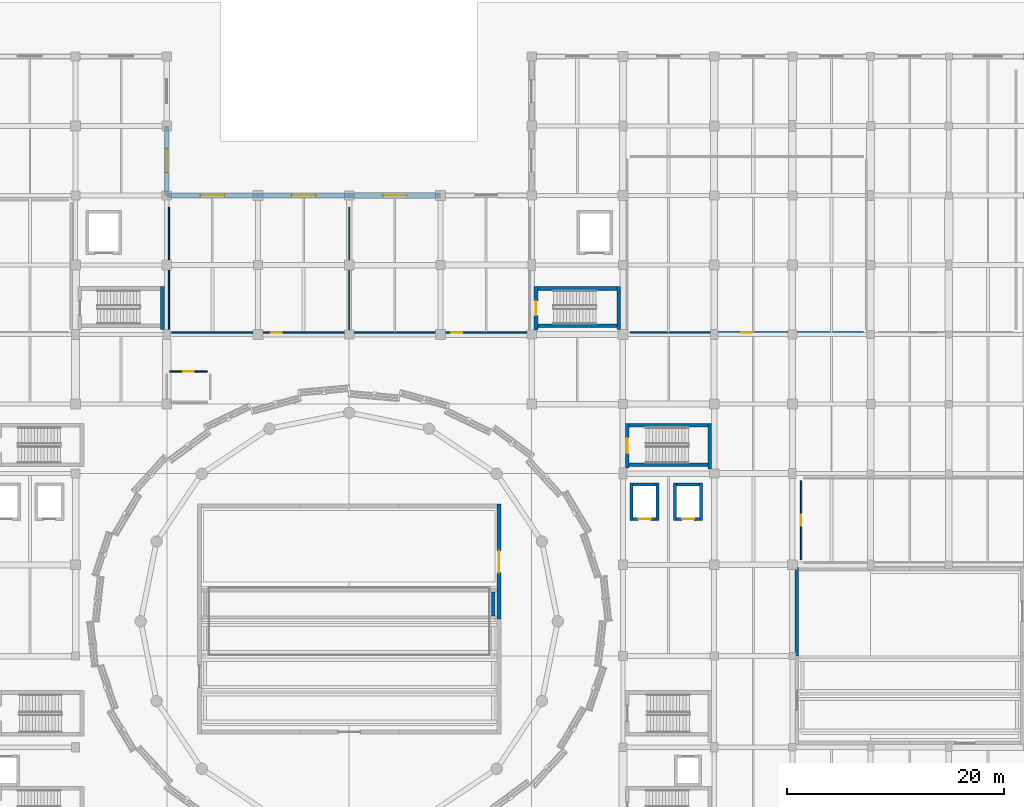
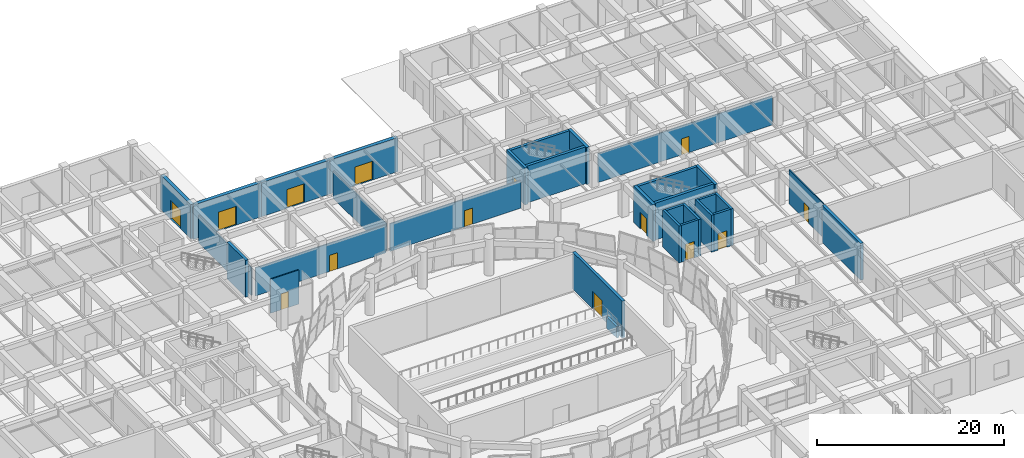
# One storey, part 50 of 72: 31 walls, 14 doors, 14 openings.
"""IFC4 building model written with IfcOpenShell, lengths in metres."""

import ifcopenshell
import ifcopenshell.guid

model = None  # the IFC model being written
_history = None  # IfcOwnerHistory: only IFC2X3 demands one
_inside = {}  # id of a spatial element -> (the spatial element, [elements in it])
_under = {}  # id of a project, library or spatial element -> (it, [spatial elements below it])
_declared = {}  # id of a project -> (the project, [libraries it declares])
_typed = {}  # id of a type object -> (the type object, [elements of that type])
_made_of = {}  # id of a material, layer set ... -> (it, [elements and type objects made of it])


def new_model(schema):
    """Start an empty IFC model of exactly this schema.

    Asked for "IFC4X3", IfcOpenShell would pick the latest addendum, in which some entities
    have other attributes; the version numbers below select the first issue.
    IFC2X3 requires an IfcOwnerHistory on every rooted entity: one is made here for all.
    """
    global model, _history
    if schema == "IFC4X3":
        model = ifcopenshell.file(schema_version=(4, 3, 0, 0))
    else:
        model = ifcopenshell.file(schema=schema)
    _inside.clear()
    _under.clear()
    _declared.clear()
    _typed.clear()
    _made_of.clear()
    _history = None
    if model.schema == "IFC2X3":
        org = make("IfcOrganization", Name="unknown")
        user = make(
            "IfcPersonAndOrganization",
            ThePerson=make("IfcPerson", FamilyName="unknown"),
            TheOrganization=org,
        )
        app = make(
            "IfcApplication",
            ApplicationDeveloper=org,
            Version="unknown",
            ApplicationFullName="unknown",
            ApplicationIdentifier="unknown",
        )
        _history = make(
            "IfcOwnerHistory",
            OwningUser=user,
            OwningApplication=app,
            ChangeAction="ADDED",
            CreationDate=0,
        )
    return model


def make(cls, **values):
    """One entity of the class cls with the attributes given. An attribute that is None is left unset."""
    return model.create_entity(
        cls, **{name: value for name, value in values.items() if value is not None}
    )


def rooted(cls, **values):
    """An entity with a GlobalId (a new one), such as an element, a storey or a relation."""
    return make(cls, GlobalId=ifcopenshell.guid.new(), OwnerHistory=_history, **values)


def si_unit(unit_type, name, prefix=None):
    """IfcSIUnit, for example si_unit("LENGTHUNIT", "METRE", prefix="MILLI")."""
    return make("IfcSIUnit", UnitType=unit_type, Prefix=prefix, Name=name)


def assignment(units):
    """IfcUnitAssignment: the units of a project."""
    return None if units is None else make("IfcUnitAssignment", Units=units)


def point(xyz):
    """IfcCartesianPoint."""
    return None if xyz is None else make("IfcCartesianPoint", Coordinates=xyz)


def direction(xyz):
    """IfcDirection."""
    return None if xyz is None else make("IfcDirection", DirectionRatios=xyz)


def frame(location, z_axis=None, x_axis=None):
    """IfcAxis2Placement3D, a coordinate frame: its origin and axes. An axis left out is left unset."""
    return make(
        "IfcAxis2Placement3D",
        Location=point(location),
        Axis=direction(z_axis),
        RefDirection=direction(x_axis),
    )


def frame_2d(location, x_axis=None):
    """IfcAxis2Placement2D, a coordinate frame in the plane: its origin and x axis."""
    return make(
        "IfcAxis2Placement2D", Location=point(location), RefDirection=direction(x_axis)
    )


def origin():
    """The frame at (0, 0, 0) with its axes left unset."""
    return frame((0.0, 0.0, 0.0))


def place(relative_to, where):
    """IfcLocalPlacement: puts the frame where relative to a parent placement (None: the world)."""
    return make(
        "IfcLocalPlacement", PlacementRelTo=relative_to, RelativePlacement=where
    )


def context(
    kind, dimensions, precision=None, world=None, true_north=None, identifier=None
):
    """IfcGeometricRepresentationContext, for example the 3D "Model" context."""
    return make(
        "IfcGeometricRepresentationContext",
        ContextIdentifier=identifier,
        ContextType=kind,
        CoordinateSpaceDimension=dimensions,
        Precision=precision,
        WorldCoordinateSystem=world,
        TrueNorth=true_north,
    )


def subcontext(parent, identifier, kind, view, scale=None):
    """IfcGeometricRepresentationSubContext, for example "Body" below "Model"."""
    return make(
        "IfcGeometricRepresentationSubContext",
        ContextIdentifier=identifier,
        ContextType=kind,
        ParentContext=parent,
        TargetScale=scale,
        TargetView=view,
    )


def project(units=None, contexts=None):
    """IfcProject with its units and contexts."""
    return rooted(
        "IfcProject",
        Name="project",
        RepresentationContexts=contexts,
        UnitsInContext=assignment(units),
    )


def spatial(cls, under=None, at=None, **own):
    """A site, building, storey or space (cls), placed at a placement, below another one or the project."""
    s = rooted(cls, ObjectPlacement=at, **own)
    if under is not None:
        _under.setdefault(under.id(), (under, []))[1].append(s)
    return s


def profile(cls, at=None, kind="AREA", **sizes):
    """A parametric profile (cls). Its sizes go by their IFC names, for example OverallWidth=200.0."""
    return make(cls, ProfileType=kind, Position=at, **sizes)


def rectangle(**sizes):
    """IfcRectangleProfileDef."""
    return profile("IfcRectangleProfileDef", **sizes)


def extrude(swept, where, along, depth):
    """IfcExtrudedAreaSolid: the profile swept, set in the frame where, extruded along a direction by depth."""
    return make(
        "IfcExtrudedAreaSolid",
        SweptArea=swept,
        Position=where,
        ExtrudedDirection=direction(along),
        Depth=depth,
    )


def shape(context_of_items, identifier, shape_type, items):
    """IfcShapeRepresentation: the items that make up one representation, for example the "Body"."""
    return make(
        "IfcShapeRepresentation",
        ContextOfItems=context_of_items,
        RepresentationIdentifier=identifier,
        RepresentationType=shape_type,
        Items=items,
    )


def material(Name=None, Category=None):
    """IfcMaterial."""
    return make("IfcMaterial", Name=Name, Category=Category)


def layer(
    of_material, thickness, ventilated=None, Name=None, Category=None, Priority=None
):
    """IfcMaterialLayer: one layer of a wall or slab, of a material (None: an air gap)."""
    return make(
        "IfcMaterialLayer",
        Material=of_material,
        LayerThickness=thickness,
        IsVentilated=ventilated,
        Name=Name,
        Category=Category,
        Priority=Priority,
    )


def layer_set(layers, Name=None):
    """IfcMaterialLayerSet."""
    return make("IfcMaterialLayerSet", MaterialLayers=layers, LayerSetName=Name)


def made_of(thing, what):
    """Note that an element or type object is made of a material, layer set ...; save() writes the relation."""
    if what is not None:
        _made_of.setdefault(what.id(), (what, []))[1].append(thing)
    return thing


def type_object(cls, material=None, **own):
    """A type object (cls), such as IfcWallType, which elements share."""
    return made_of(rooted(cls, **own), material)


def element(
    cls,
    number,
    at=None,
    inside=None,
    cuts=None,
    type_object=None,
    material=None,
    context=None,
    identifier="Body",
    shape_type=None,
    held_by="IfcProductDefinitionShape",
    body=None,
    shapes=None,
    **own,
):
    """One element of the class cls, such as IfcWall. Its Tag is "e" and its number.

    at: its placement. inside: the storey or other place that contains it. cuts: it is an
    opening in that element (IfcRelVoidsElement). A single representation is given by context,
    identifier, shape_type and body (its items); several are given by shapes. held_by: the class
    of the entity that holds the representations. save() writes the other relations.
    """
    e = rooted(cls, Tag="e%d" % number, ObjectPlacement=at, **own)
    if body is not None:
        shapes = [shape(context, identifier, shape_type, body)]
    if shapes is not None:
        e.Representation = make(held_by, Representations=shapes)
    if inside is not None:
        _inside.setdefault(inside.id(), (inside, []))[1].append(e)
    if cuts is not None:
        rooted(
            "IfcRelVoidsElement", RelatingBuildingElement=cuts, RelatedOpeningElement=e
        )
    if type_object is not None:
        _typed.setdefault(type_object.id(), (type_object, []))[1].append(e)
    return made_of(e, material)


def fill(opening, filler):
    """IfcRelFillsElement: the door or window that sits in an opening."""
    return rooted(
        "IfcRelFillsElement",
        RelatingOpeningElement=opening,
        RelatedBuildingElement=filler,
    )


def aggregate(whole, parts):
    """IfcRelAggregates: a whole, such as a stair, and the parts it consists of."""
    return rooted("IfcRelAggregates", RelatingObject=whole, RelatedObjects=parts)


def save(model, path):
    """Write the relations noted so far, then the file.

    IfcRelAggregates (storeys below a building ...), IfcRelContainedInSpatialStructure (elements
    in a storey), IfcRelDefinesByType, IfcRelAssociatesMaterial and IfcRelDeclares: one each for
    every whole, place, type object, material and project.
    """
    for whole, parts in _under.values():
        aggregate(whole, parts)
    for where, things in _inside.values():
        rooted(
            "IfcRelContainedInSpatialStructure",
            RelatedElements=things,
            RelatingStructure=where,
        )
    for kind, things in _typed.values():
        rooted("IfcRelDefinesByType", RelatedObjects=things, RelatingType=kind)
    for what, things in _made_of.values():
        rooted("IfcRelAssociatesMaterial", RelatedObjects=things, RelatingMaterial=what)
    for by, libraries in _declared.values():
        rooted("IfcRelDeclares", RelatingContext=by, RelatedDefinitions=libraries)
    model.write(path)


model = new_model("IFC4")

# Units and contexts
model_context = context("Model", 3, precision=1e-05, world=origin(), true_north=direction((0.0, 1.0)))
body_context = subcontext(model_context, "Body", "Model", "MODEL_VIEW")
ifc_project = project(units=[si_unit("LENGTHUNIT", "METRE"), si_unit("AREAUNIT", "SQUARE_METRE"), si_unit("VOLUMEUNIT", "CUBIC_METRE"), si_unit("PLANEANGLEUNIT", "RADIAN"), si_unit("MASSUNIT", "GRAM", prefix="KILO")], contexts=[model_context])

# Site, building, storey
site_placement = place(None, origin())
site = spatial("IfcSite", under=ifc_project, at=site_placement, CompositionType="ELEMENT")
building_placement = place(site_placement, origin())
building = spatial("IfcBuilding", under=site, at=building_placement, Name="Korsvaeld Concert Hall", CompositionType="ELEMENT")
storey_placement = place(building_placement, origin())
storey = spatial("IfcBuildingStorey", under=building, at=storey_placement, Name="L00", CompositionType="ELEMENT", Elevation=0.0)

# Walls
ifc_material_1 = material(Name="Concrete C40/50", Category="concrete")
ifc_layer_1 = layer(ifc_material_1, 0.340087890625)
ifc_layer_set_1 = layer_set([ifc_layer_1], Name="Concrete C40/50")
wall_type_1 = type_object("IfcWallType", Name="WL-CORE-340", PredefinedType="SHEAR", material=ifc_layer_set_1)
wall_1_placement = place(storey_placement, frame((109.77001953125, 77.60009765625, 0.0), z_axis=(0.0, 0.0, 1.0), x_axis=(1.0, 0.0, 0.0)))
element("IfcWall", 1, at=wall_1_placement, inside=storey, type_object=wall_type_1, Name="Core K2 shear wall L00 S", PredefinedType="SHEAR", context=body_context, shape_type="SweptSolid", body=[
    extrude(rectangle(XDim=7.260009765625, YDim=0.340087890625, at=frame_2d((3.6298828125, 0.0))), origin(), (0.0, 0.0, 1.0), 4.800048828125),
])
wall_2_placement = place(storey_placement, frame((117.199951171875, 77.22509765625, 0.0), z_axis=(0.0, 0.0, 1.0), x_axis=(0.0, 1.0, 0.0)))
element("IfcWall", 2, at=wall_2_placement, inside=storey, type_object=wall_type_1, Name="Core K2 shear wall L00 E", PredefinedType="SHEAR", context=body_context, shape_type="SweptSolid", body=[
    extrude(rectangle(XDim=4.184814453125, YDim=0.340087890625, at=frame_2d((2.09228515625, 0.0))), origin(), (0.0, 0.0, 1.0), 4.800048828125),
])
wall_3_placement = place(storey_placement, frame((117.030029296875, 81.239990234375, 0.0), z_axis=(0.0, 0.0, 1.0), x_axis=(-1.0, 0.0, 0.0)))
element("IfcWall", 3, at=wall_3_placement, inside=storey, type_object=wall_type_1, Name="Core K2 shear wall L00 N", PredefinedType="SHEAR", context=body_context, shape_type="SweptSolid", body=[
    extrude(rectangle(XDim=7.260009765625, YDim=0.340087890625, at=frame_2d((3.6298828125, 0.0))), origin(), (0.0, 0.0, 1.0), 4.800048828125),
])

# Wall, opening, door
wall_4_placement = place(storey_placement, frame((109.60009765625, 81.409912109375, 0.0), z_axis=(0.0, 0.0, 1.0), x_axis=(0.0, -1.0, 0.0)))
wall_4 = element("IfcWall", 4, at=wall_4_placement, inside=storey, type_object=wall_type_1, Name="Core K2 shear wall L00 W", PredefinedType="SHEAR", context=body_context, shape_type="SweptSolid", body=[
    extrude(rectangle(XDim=4.10986328125, YDim=0.340087890625, at=frame_2d((2.054931640625, 0.0))), origin(), (0.0, 0.0, 1.0), 4.800048828125),
])
opening_1_placement = place(wall_4_placement, frame((1.35498046875, 0.0, 0.0)))
opening_1 = element("IfcOpeningElement", 5, at=opening_1_placement, cuts=wall_4, Name="Opening FD-02", PredefinedType="OPENING", context=body_context, shape_type="SweptSolid", body=[
    extrude(rectangle(XDim=1.39990234375, YDim=2.14990234375, at=frame_2d((0.699951171875, 1.074951171875))), frame((0.0, 0.18017578125, 0.0), z_axis=(0.0, -1.0, 0.0), x_axis=(1.0, 0.0, 0.0)), (0.0, 0.0, 1.0), 0.360107421875),
])
ifc_material_2 = material(Name="Acoustic steel and oak fire door", Category="steel")
door_type_1 = type_object("IfcDoorType", Name="DR-FD-STAIR-140x215", OperationType="NOTDEFINED", PredefinedType="DOOR", material=ifc_material_2)
door_1_placement = place(opening_1_placement, frame((1.39990234375, 0.0, 0.0), z_axis=(0.0, 0.0, 1.0), x_axis=(-1.0, 0.0, 0.0)))
door_1 = element("IfcDoor", 6, at=door_1_placement, inside=storey, type_object=door_type_1, Name="Escape stair ST-K2 fire door L00", OperationType="SINGLE_SWING_RIGHT", OverallHeight=2.14990234375, OverallWidth=1.39990234375, PredefinedType="DOOR", context=body_context, shape_type="SweptSolid", body=[
    extrude(rectangle(XDim=1.39990234375, YDim=2.14990234375, at=frame_2d((0.699951171875, 1.074951171875))), frame((0.0, 0.02490234375, 0.0), z_axis=(0.0, -1.0, 0.0), x_axis=(1.0, 0.0, 0.0)), (0.0, 0.0, 1.0), 0.050048828125),
])
fill(opening_1, door_1)

# Walls
wall_5_placement = place(storey_placement, frame((66.800048828125, 90.050048828125, 0.0), z_axis=(0.0, 0.0, 1.0), x_axis=(0.0, 1.0, 0.0)))
element("IfcWall", 7, at=wall_5_placement, inside=storey, type_object=wall_type_1, Name="Core K5 shear wall L00 E", PredefinedType="SHEAR", context=body_context, shape_type="SweptSolid", body=[
    extrude(rectangle(XDim=3.9599609375, YDim=0.340087890625, at=frame_2d((1.97998046875, 0.0))), origin(), (0.0, 0.0, 1.0), 4.800048828125),
])
wall_6_placement = place(storey_placement, frame((101.3701171875, 90.39990234375, 0.0), z_axis=(0.0, 0.0, 1.0), x_axis=(1.0, 0.0, 0.0)))
element("IfcWall", 8, at=wall_6_placement, inside=storey, type_object=wall_type_1, Name="Core K6 shear wall L00 S", PredefinedType="SHEAR", context=body_context, shape_type="SweptSolid", body=[
    extrude(rectangle(XDim=7.259765625, YDim=0.340087890625, at=frame_2d((3.6298828125, 0.0))), origin(), (0.0, 0.0, 1.0), 4.800048828125),
])
wall_7_placement = place(storey_placement, frame((108.800048828125, 90.050048828125, 0.0), z_axis=(0.0, 0.0, 1.0), x_axis=(0.0, 1.0, 0.0)))
element("IfcWall", 9, at=wall_7_placement, inside=storey, type_object=wall_type_1, Name="Core K6 shear wall L00 E", PredefinedType="SHEAR", context=body_context, shape_type="SweptSolid", body=[
    extrude(rectangle(XDim=3.9599609375, YDim=0.340087890625, at=frame_2d((1.97998046875, 0.0))), origin(), (0.0, 0.0, 1.0), 4.800048828125),
])
wall_8_placement = place(storey_placement, frame((108.6298828125, 93.840087890625, 0.0), z_axis=(0.0, 0.0, 1.0), x_axis=(-1.0, 0.0, 0.0)))
element("IfcWall", 10, at=wall_8_placement, inside=storey, type_object=wall_type_1, Name="Core K6 shear wall L00 N", PredefinedType="SHEAR", context=body_context, shape_type="SweptSolid", body=[
    extrude(rectangle(XDim=7.259765625, YDim=0.340087890625, at=frame_2d((3.6298828125, 0.0))), origin(), (0.0, 0.0, 1.0), 4.800048828125),
])

# Wall, opening, door
wall_9_placement = place(storey_placement, frame((101.199951171875, 94.010009765625, 0.0), z_axis=(0.0, 0.0, 1.0), x_axis=(0.0, -1.0, 0.0)))
wall_9 = element("IfcWall", 11, at=wall_9_placement, inside=storey, type_object=wall_type_1, Name="Core K6 shear wall L00 W", PredefinedType="SHEAR", context=body_context, shape_type="SweptSolid", body=[
    extrude(rectangle(XDim=3.985107421875, YDim=0.340087890625, at=frame_2d((1.99267578125, 0.0))), origin(), (0.0, 0.0, 1.0), 4.800048828125),
])
opening_2_placement = place(wall_9_placement, frame((1.342529296875, 0.0, 0.0)))
opening_2 = element("IfcOpeningElement", 12, at=opening_2_placement, cuts=wall_9, Name="Opening FD-01", PredefinedType="OPENING", context=body_context, shape_type="SweptSolid", body=[
    extrude(rectangle(XDim=1.300048828125, YDim=2.14990234375, at=frame_2d((0.64990234375, 1.074951171875))), frame((0.0, 0.18017578125, 0.0), z_axis=(0.0, -1.0, 0.0), x_axis=(1.0, 0.0, 0.0)), (0.0, 0.0, 1.0), 0.360107421875),
])
door_type_2 = type_object("IfcDoorType", Name="DR-FD-STAIR-130x215", OperationType="NOTDEFINED", PredefinedType="DOOR", material=ifc_material_2)
door_2_placement = place(opening_2_placement, frame((1.300048828125, 0.0, 0.0), z_axis=(0.0, 0.0, 1.0), x_axis=(-1.0, 0.0, 0.0)))
door_2 = element("IfcDoor", 13, at=door_2_placement, inside=storey, type_object=door_type_2, Name="Escape stair ST-K6 fire door L00", OperationType="SINGLE_SWING_RIGHT", OverallHeight=2.14990234375, OverallWidth=1.300048828125, PredefinedType="DOOR", context=body_context, shape_type="SweptSolid", body=[
    extrude(rectangle(XDim=1.300048828125, YDim=2.14990234375, at=frame_2d((0.64990234375, 1.074951171875))), frame((0.0, 0.02490234375, 0.0), z_axis=(0.0, -1.0, 0.0), x_axis=(1.0, 0.0, 0.0)), (0.0, 0.0, 1.0), 0.050048828125),
])
fill(opening_2, door_2)

ifc_material_3 = material(Name="Coastal dark grey granite plinth on Concrete C35/45", Category="masonry")
ifc_layer_2 = layer(ifc_material_3, 0.43994140625)
ifc_layer_set_2 = layer_set([ifc_layer_2], Name="Coastal dark grey granite plinth on Concrete C35/45")
wall_type_2 = type_object("IfcWallType", Name="WL-EXT-GRAN-440", PredefinedType="STANDARD", material=ifc_layer_set_2)
wall_10_placement = place(storey_placement, frame((67.199951171875, 108.800048828125, 0.0), z_axis=(0.0, 0.0, 1.0), x_axis=(0.0, -1.0, 0.0)))
wall_10 = element("IfcWall", 14, at=wall_10_placement, inside=storey, type_object=wall_type_2, Name="Exterior sandstone wall L00-072", PredefinedType="STANDARD", context=body_context, shape_type="SweptSolid", body=[
    extrude(rectangle(XDim=6.400146484375, YDim=0.43994140625, at=frame_2d((3.2001953125, 0.0))), origin(), (0.0, 0.0, 1.0), 4.43994140625),
])
opening_3_placement = place(wall_10_placement, frame((2.10009765625, 0.0, 0.0)))
opening_3 = element("IfcOpeningElement", 15, at=opening_3_placement, cuts=wall_10, Name="Opening ED-02", PredefinedType="OPENING", context=body_context, shape_type="SweptSolid", body=[
    extrude(rectangle(XDim=2.199951171875, YDim=2.449951171875, at=frame_2d((1.10009765625, 1.22509765625))), frame((0.0, 0.22998046875, 0.0), z_axis=(0.0, -1.0, 0.0), x_axis=(1.0, 0.0, 0.0)), (0.0, 0.0, 1.0), 0.4599609375),
])
ifc_material_4 = material(Name="Anodised bronze glazed exit door")
door_type_3 = type_object("IfcDoorType", Name="DR-EXT-220x245", OperationType="DOUBLE_DOOR_SINGLE_SWING", PredefinedType="DOOR", material=ifc_material_4)
door_3_placement = place(opening_3_placement, frame((2.199951171875, 0.0, 0.0), z_axis=(0.0, 0.0, 1.0), x_axis=(-1.0, 0.0, 0.0)))
door_3 = element("IfcDoor", 16, at=door_3_placement, inside=storey, type_object=door_type_3, Name="Ground plaza pedestrian exit door EX-17", OperationType="DOUBLE_DOOR_SINGLE_SWING", OverallHeight=2.449951171875, OverallWidth=2.199951171875, PredefinedType="DOOR", context=body_context, shape_type="SweptSolid", body=[
    extrude(rectangle(XDim=2.199951171875, YDim=2.449951171875, at=frame_2d((1.10009765625, 1.22509765625))), frame((0.0, 0.02490234375, 0.0), z_axis=(0.0, -1.0, 0.0), x_axis=(1.0, 0.0, 0.0)), (0.0, 0.0, 1.0), 0.050048828125),
])
fill(opening_3, door_3)

wall_11_placement = place(storey_placement, frame((67.199951171875, 102.39990234375, 0.0), z_axis=(0.0, 0.0, 1.0), x_axis=(1.0, 0.0, 0.0)))
wall_11 = element("IfcWall", 17, at=wall_11_placement, inside=storey, type_object=wall_type_2, Name="Exterior sandstone wall L00-073", PredefinedType="STANDARD", context=body_context, shape_type="SweptSolid", body=[
    extrude(rectangle(XDim=8.400146484375, YDim=0.43994140625, at=frame_2d((4.2001953125, 0.0))), origin(), (0.0, 0.0, 1.0), 4.43994140625),
])
opening_4_placement = place(wall_11_placement, frame((3.10009765625, 0.0, 0.0)))
opening_4 = element("IfcOpeningElement", 18, at=opening_4_placement, cuts=wall_11, Name="Opening ED-02", PredefinedType="OPENING", context=body_context, shape_type="SweptSolid", body=[
    extrude(rectangle(XDim=2.199951171875, YDim=2.449951171875, at=frame_2d((1.10009765625, 1.22509765625))), frame((0.0, 0.22998046875, 0.0), z_axis=(0.0, -1.0, 0.0), x_axis=(1.0, 0.0, 0.0)), (0.0, 0.0, 1.0), 0.4599609375),
])
door_4_placement = place(opening_4_placement, frame((2.199951171875, 0.0, 0.0), z_axis=(0.0, 0.0, 1.0), x_axis=(-1.0, 0.0, 0.0)))
door_4 = element("IfcDoor", 19, at=door_4_placement, inside=storey, type_object=door_type_3, Name="Ground plaza pedestrian exit door EX-18", OperationType="DOUBLE_DOOR_SINGLE_SWING", OverallHeight=2.449951171875, OverallWidth=2.199951171875, PredefinedType="DOOR", context=body_context, shape_type="SweptSolid", body=[
    extrude(rectangle(XDim=2.199951171875, YDim=2.449951171875, at=frame_2d((1.10009765625, 1.22509765625))), frame((0.0, 0.02490234375, 0.0), z_axis=(0.0, -1.0, 0.0), x_axis=(1.0, 0.0, 0.0)), (0.0, 0.0, 1.0), 0.050048828125),
])
fill(opening_4, door_4)

wall_12_placement = place(storey_placement, frame((75.60009765625, 102.39990234375, 0.0), z_axis=(0.0, 0.0, 1.0), x_axis=(1.0, 0.0, 0.0)))
wall_12 = element("IfcWall", 20, at=wall_12_placement, inside=storey, type_object=wall_type_2, Name="Exterior sandstone wall L00-074", PredefinedType="STANDARD", context=body_context, shape_type="SweptSolid", body=[
    extrude(rectangle(XDim=8.39990234375, YDim=0.43994140625, at=frame_2d((4.199951171875, 0.0))), origin(), (0.0, 0.0, 1.0), 4.43994140625),
])
opening_5_placement = place(wall_12_placement, frame((3.10009765625, 0.0, 0.0)))
opening_5 = element("IfcOpeningElement", 21, at=opening_5_placement, cuts=wall_12, Name="Opening ED-02", PredefinedType="OPENING", context=body_context, shape_type="SweptSolid", body=[
    extrude(rectangle(XDim=2.199951171875, YDim=2.449951171875, at=frame_2d((1.10009765625, 1.22509765625))), frame((0.0, 0.22998046875, 0.0), z_axis=(0.0, -1.0, 0.0), x_axis=(1.0, 0.0, 0.0)), (0.0, 0.0, 1.0), 0.4599609375),
])
door_5_placement = place(opening_5_placement, frame((2.199951171875, 0.0, 0.0), z_axis=(0.0, 0.0, 1.0), x_axis=(-1.0, 0.0, 0.0)))
door_5 = element("IfcDoor", 22, at=door_5_placement, inside=storey, type_object=door_type_3, Name="Ground plaza pedestrian exit door EX-19", OperationType="DOUBLE_DOOR_SINGLE_SWING", OverallHeight=2.449951171875, OverallWidth=2.199951171875, PredefinedType="DOOR", context=body_context, shape_type="SweptSolid", body=[
    extrude(rectangle(XDim=2.199951171875, YDim=2.449951171875, at=frame_2d((1.10009765625, 1.22509765625))), frame((0.0, 0.02490234375, 0.0), z_axis=(0.0, -1.0, 0.0), x_axis=(1.0, 0.0, 0.0)), (0.0, 0.0, 1.0), 0.050048828125),
])
fill(opening_5, door_5)

wall_13_placement = place(storey_placement, frame((84.0, 102.39990234375, 0.0), z_axis=(0.0, 0.0, 1.0), x_axis=(1.0, 0.0, 0.0)))
wall_13 = element("IfcWall", 23, at=wall_13_placement, inside=storey, type_object=wall_type_2, Name="Exterior sandstone wall L00-075", PredefinedType="STANDARD", context=body_context, shape_type="SweptSolid", body=[
    extrude(rectangle(XDim=8.39990234375, YDim=0.43994140625, at=frame_2d((4.199951171875, 0.0))), origin(), (0.0, 0.0, 1.0), 4.43994140625),
])
opening_6_placement = place(wall_13_placement, frame((3.10009765625, 0.0, 0.0)))
opening_6 = element("IfcOpeningElement", 24, at=opening_6_placement, cuts=wall_13, Name="Opening ED-02", PredefinedType="OPENING", context=body_context, shape_type="SweptSolid", body=[
    extrude(rectangle(XDim=2.199951171875, YDim=2.449951171875, at=frame_2d((1.10009765625, 1.22509765625))), frame((0.0, 0.22998046875, 0.0), z_axis=(0.0, -1.0, 0.0), x_axis=(1.0, 0.0, 0.0)), (0.0, 0.0, 1.0), 0.4599609375),
])
door_6_placement = place(opening_6_placement, frame((2.199951171875, 0.0, 0.0), z_axis=(0.0, 0.0, 1.0), x_axis=(-1.0, 0.0, 0.0)))
door_6 = element("IfcDoor", 25, at=door_6_placement, inside=storey, type_object=door_type_3, Name="Ground plaza pedestrian exit door EX-20", OperationType="DOUBLE_DOOR_SINGLE_SWING", OverallHeight=2.449951171875, OverallWidth=2.199951171875, PredefinedType="DOOR", context=body_context, shape_type="SweptSolid", body=[
    extrude(rectangle(XDim=2.199951171875, YDim=2.449951171875, at=frame_2d((1.10009765625, 1.22509765625))), frame((0.0, 0.02490234375, 0.0), z_axis=(0.0, -1.0, 0.0), x_axis=(1.0, 0.0, 0.0)), (0.0, 0.0, 1.0), 0.050048828125),
])
fill(opening_6, door_6)

ifc_material_5 = material(Name="Bornholm Nexo crimson sandstone on Concrete C40/50", Category="masonry")
ifc_layer_3 = layer(ifc_material_5, 0.360107421875)
ifc_layer_set_3 = layer_set([ifc_layer_3], Name="Bornholm Nexo crimson sandstone on Concrete C40/50")
wall_type_3 = type_object("IfcWallType", Name="WL-HALL-360", PredefinedType="SHEAR", material=ifc_layer_set_3)
wall_14_placement = place(storey_placement, frame((97.800048828125, 63.39990234375, 0.0), z_axis=(0.0, 0.0, 1.0), x_axis=(0.0, 1.0, 0.0)))
wall_14 = element("IfcWall", 26, at=wall_14_placement, inside=storey, type_object=wall_type_3, Name="Acoustic hall box wall V1H L00 E.2", PredefinedType="SHEAR", context=body_context, shape_type="SweptSolid", body=[
    extrude(rectangle(XDim=10.580078125, YDim=0.360107421875, at=frame_2d((5.2900390625, 0.0))), origin(), (0.0, 0.0, 1.0), 4.800048828125),
])
opening_7_placement = place(wall_14_placement, frame((4.2900390625, 0.0, 0.0)))
opening_7 = element("IfcOpeningElement", 27, at=opening_7_placement, cuts=wall_14, Name="Opening FD-04", PredefinedType="OPENING", context=body_context, shape_type="SweptSolid", body=[
    extrude(rectangle(XDim=2.0, YDim=2.25, at=frame_2d((1.0, 1.125))), frame((0.0, 0.18994140625, 0.0), z_axis=(0.0, -1.0, 0.0), x_axis=(1.0, 0.0, 0.0)), (0.0, 0.0, 1.0), 0.380126953125),
])
ifc_material_6 = material(Name="Double acoustic oak sound-lock fire door")
door_type_4 = type_object("IfcDoorType", Name="DR-FD-HALL-200x225", OperationType="DOUBLE_DOOR_SINGLE_SWING", PredefinedType="DOOR", material=ifc_material_6)
door_7_placement = place(opening_7_placement, frame((2.0, 0.0, 0.0), z_axis=(0.0, 0.0, 1.0), x_axis=(-1.0, 0.0, 0.0)))
door_7 = element("IfcDoor", 28, at=door_7_placement, inside=storey, type_object=door_type_4, Name="Auditorium sound-lock fire door V1H L00 E.2", OperationType="DOUBLE_DOOR_SINGLE_SWING", OverallHeight=2.25, OverallWidth=2.0, PredefinedType="DOOR", context=body_context, shape_type="SweptSolid", body=[
    extrude(rectangle(XDim=2.0, YDim=2.25, at=frame_2d((1.0, 1.125))), frame((0.0, 0.02490234375, 0.0), z_axis=(0.0, -1.0, 0.0), x_axis=(1.0, 0.0, 0.0)), (0.0, 0.0, 1.0), 0.050048828125),
])
fill(opening_7, door_7)

# Wall
wall_15_placement = place(storey_placement, frame((125.199951171875, 68.179931640625, 0.0), z_axis=(0.0, 0.0, 1.0), x_axis=(0.0, -1.0, 0.0)))
element("IfcWall", 29, at=wall_15_placement, inside=storey, type_object=wall_type_3, Name="Acoustic hall box wall V2H L00 W.1", PredefinedType="SHEAR", context=body_context, shape_type="SweptSolid", body=[
    extrude(rectangle(XDim=8.179931640625, YDim=0.360107421875, at=frame_2d((4.08984375, 0.0))), origin(), (0.0, 0.0, 1.0), 4.800048828125),
])

# Wall, opening, door
ifc_material_7 = material(Name="Insulated acoustic gypsum partition")
ifc_layer_4 = layer(ifc_material_7, 0.125)
ifc_layer_set_4 = layer_set([ifc_layer_4], Name="Insulated acoustic gypsum partition")
wall_type_4 = type_object("IfcWallType", Name="WL-PART-125", PredefinedType="PARTITIONING", material=ifc_layer_set_4)
wall_16_placement = place(storey_placement, frame((125.60009765625, 76.139892578125, 0.0), z_axis=(0.0, 0.0, 1.0), x_axis=(0.0, -1.0, 0.0)))
wall_16 = element("IfcWall", 30, at=wall_16_placement, inside=storey, type_object=wall_type_4, Name="Interior partition L00-15 W", PredefinedType="PARTITIONING", context=body_context, shape_type="SweptSolid", body=[
    extrude(rectangle(XDim=7.27978515625, YDim=0.125, at=frame_2d((3.639892578125, 0.0))), origin(), (0.0, 0.0, 1.0), 4.43994140625),
])
opening_8_placement = place(wall_16_placement, frame((3.14990234375, 0.0, 0.0)))
opening_8 = element("IfcOpeningElement", 31, at=opening_8_placement, cuts=wall_16, Name="Opening ID-03", PredefinedType="OPENING", context=body_context, shape_type="SweptSolid", body=[
    extrude(rectangle(XDim=0.97998046875, YDim=2.10009765625, at=frame_2d((0.489990234375, 1.050048828125))), frame((0.0, 0.072509765625, 0.0), z_axis=(0.0, -1.0, 0.0), x_axis=(1.0, 0.0, 0.0)), (0.0, 0.0, 1.0), 0.14501953125),
])
ifc_material_8 = material(Name="European oak dressing room door")
door_type_5 = type_object("IfcDoorType", Name="DR-INT-DRS-098x210", OperationType="NOTDEFINED", PredefinedType="DOOR", material=ifc_material_8)
door_8_placement = place(opening_8_placement, origin())
door_8 = element("IfcDoor", 32, at=door_8_placement, inside=storey, type_object=door_type_5, Name="Chamber Artists Green Room door L00-15", OperationType="SINGLE_SWING_LEFT", OverallHeight=2.10009765625, OverallWidth=0.97998046875, PredefinedType="DOOR", context=body_context, shape_type="SweptSolid", body=[
    extrude(rectangle(XDim=0.97998046875, YDim=2.10009765625, at=frame_2d((0.489990234375, 1.050048828125))), frame((0.0, 0.02490234375, 0.0), z_axis=(0.0, -1.0, 0.0), x_axis=(1.0, 0.0, 0.0)), (0.0, 0.0, 1.0), 0.050048828125),
])
fill(opening_8, door_8)

wall_17_placement = place(storey_placement, frame((67.659912109375, 89.800048828125, 0.0), z_axis=(0.0, 0.0, 1.0), x_axis=(1.0, 0.0, 0.0)))
wall_17 = element("IfcWall", 33, at=wall_17_placement, inside=storey, type_object=wall_type_4, Name="Interior partition L00-23 S", PredefinedType="PARTITIONING", context=body_context, shape_type="SweptSolid", body=[
    extrude(rectangle(XDim=16.080078125, YDim=0.125, at=frame_2d((8.0400390625, 0.0))), origin(), (0.0, 0.0, 1.0), 3.6650390625),
])
opening_9_placement = place(wall_17_placement, frame((9.14990234375, 0.0, 0.0)))
opening_9 = element("IfcOpeningElement", 34, at=opening_9_placement, cuts=wall_17, Name="Opening ID-03", PredefinedType="OPENING", context=body_context, shape_type="SweptSolid", body=[
    extrude(rectangle(XDim=0.97998046875, YDim=2.10009765625, at=frame_2d((0.489990234375, 1.050048828125))), frame((0.0, 0.072509765625, 0.0), z_axis=(0.0, -1.0, 0.0), x_axis=(1.0, 0.0, 0.0)), (0.0, 0.0, 1.0), 0.14501953125),
])
door_9_placement = place(opening_9_placement, origin())
door_9 = element("IfcDoor", 35, at=door_9_placement, inside=storey, type_object=door_type_5, Name="Conductor Suite & Dressing Room door L00-23", OperationType="SINGLE_SWING_RIGHT", OverallHeight=2.10009765625, OverallWidth=0.97998046875, PredefinedType="DOOR", context=body_context, shape_type="SweptSolid", body=[
    extrude(rectangle(XDim=0.97998046875, YDim=2.10009765625, at=frame_2d((0.489990234375, 1.050048828125))), frame((0.0, 0.02490234375, 0.0), z_axis=(0.0, -1.0, 0.0), x_axis=(1.0, 0.0, 0.0)), (0.0, 0.0, 1.0), 0.050048828125),
])
fill(opening_9, door_9)

# Walls
wall_18_placement = place(storey_placement, frame((84.0, 90.06005859375, 0.0), z_axis=(0.0, 0.0, 1.0), x_axis=(0.0, 1.0, 0.0)))
element("IfcWall", 36, at=wall_18_placement, inside=storey, type_object=wall_type_4, Name="Interior partition L00-23 E", PredefinedType="PARTITIONING", context=body_context, shape_type="SweptSolid", body=[
    extrude(rectangle(XDim=11.280029296875, YDim=0.125, at=frame_2d((5.64013671875, 0.0))), origin(), (0.0, 0.0, 1.0), 3.56494140625),
])
wall_19_placement = place(storey_placement, frame((67.39990234375, 101.340087890625, 0.0), z_axis=(0.0, 0.0, 1.0), x_axis=(0.0, -1.0, 0.0)))
element("IfcWall", 37, at=wall_19_placement, inside=storey, type_object=wall_type_4, Name="Interior partition L00-23 W", PredefinedType="PARTITIONING", context=body_context, shape_type="SweptSolid", body=[
    extrude(rectangle(XDim=11.280029296875, YDim=0.125, at=frame_2d((5.64013671875, 0.0))), origin(), (0.0, 0.0, 1.0), 3.614990234375),
])

# Wall, opening, door
wall_20_placement = place(storey_placement, frame((84.260009765625, 89.800048828125, 0.0), z_axis=(0.0, 0.0, 1.0), x_axis=(1.0, 0.0, 0.0)))
wall_20 = element("IfcWall", 38, at=wall_20_placement, inside=storey, type_object=wall_type_4, Name="Interior partition L00-24 S", PredefinedType="PARTITIONING", context=body_context, shape_type="SweptSolid", body=[
    extrude(rectangle(XDim=16.080078125, YDim=0.125, at=frame_2d((8.0400390625, 0.0))), origin(), (0.0, 0.0, 1.0), 3.614990234375),
])
opening_10_placement = place(wall_20_placement, frame((9.14990234375, 0.0, 0.0)))
opening_10 = element("IfcOpeningElement", 39, at=opening_10_placement, cuts=wall_20, Name="Opening ID-03", PredefinedType="OPENING", context=body_context, shape_type="SweptSolid", body=[
    extrude(rectangle(XDim=0.97998046875, YDim=2.10009765625, at=frame_2d((0.489990234375, 1.050048828125))), frame((0.0, 0.072509765625, 0.0), z_axis=(0.0, -1.0, 0.0), x_axis=(1.0, 0.0, 0.0)), (0.0, 0.0, 1.0), 0.14501953125),
])
door_10_placement = place(opening_10_placement, origin())
door_10 = element("IfcDoor", 40, at=door_10_placement, inside=storey, type_object=door_type_5, Name="Principal Soloist Dressing Rooms door L00-24", OperationType="SINGLE_SWING_LEFT", OverallHeight=2.10009765625, OverallWidth=0.97998046875, PredefinedType="DOOR", context=body_context, shape_type="SweptSolid", body=[
    extrude(rectangle(XDim=0.97998046875, YDim=2.10009765625, at=frame_2d((0.489990234375, 1.050048828125))), frame((0.0, 0.02490234375, 0.0), z_axis=(0.0, -1.0, 0.0), x_axis=(1.0, 0.0, 0.0)), (0.0, 0.0, 1.0), 0.050048828125),
])
fill(opening_10, door_10)

wall_21_placement = place(storey_placement, frame((109.860107421875, 89.800048828125, 0.0), z_axis=(0.0, 0.0, 1.0), x_axis=(1.0, 0.0, 0.0)))
wall_21 = element("IfcWall", 41, at=wall_21_placement, inside=storey, type_object=wall_type_4, Name="Interior partition L00-25 S", PredefinedType="PARTITIONING", context=body_context, shape_type="SweptSolid", body=[
    extrude(rectangle(XDim=21.47998046875, YDim=0.125, at=frame_2d((10.739990234375, 0.0))), origin(), (0.0, 0.0, 1.0), 3.764892578125),
])
opening_11_placement = place(wall_21_placement, frame((10.25, 0.0, 0.0)))
opening_11 = element("IfcOpeningElement", 42, at=opening_11_placement, cuts=wall_21, Name="Opening ID-03", PredefinedType="OPENING", context=body_context, shape_type="SweptSolid", body=[
    extrude(rectangle(XDim=0.97998046875, YDim=2.10009765625, at=frame_2d((0.489990234375, 1.050048828125))), frame((0.0, 0.072509765625, 0.0), z_axis=(0.0, -1.0, 0.0), x_axis=(1.0, 0.0, 0.0)), (0.0, 0.0, 1.0), 0.14501953125),
])
door_11_placement = place(opening_11_placement, origin())
door_11 = element("IfcDoor", 43, at=door_11_placement, inside=storey, type_object=door_type_5, Name="Musicians Green Room & Canteen door L00-25", OperationType="SINGLE_SWING_RIGHT", OverallHeight=2.10009765625, OverallWidth=0.97998046875, PredefinedType="DOOR", context=body_context, shape_type="SweptSolid", body=[
    extrude(rectangle(XDim=0.97998046875, YDim=2.10009765625, at=frame_2d((0.489990234375, 1.050048828125))), frame((0.0, 0.02490234375, 0.0), z_axis=(0.0, -1.0, 0.0), x_axis=(1.0, 0.0, 0.0)), (0.0, 0.0, 1.0), 0.050048828125),
])
fill(opening_11, door_11)

wall_22_placement = place(storey_placement, frame((70.93994140625, 86.199951171875, 0.0), z_axis=(0.0, 0.0, 1.0), x_axis=(-1.0, 0.0, 0.0)))
wall_22 = element("IfcWall", 44, at=wall_22_placement, inside=storey, type_object=wall_type_4, Name="Interior partition L00-35 N", PredefinedType="PARTITIONING", context=body_context, shape_type="SweptSolid", body=[
    extrude(rectangle(XDim=3.47998046875, YDim=0.125, at=frame_2d((1.739990234375, 0.0))), origin(), (0.0, 0.0, 1.0), 4.43994140625),
])
opening_12_placement = place(wall_22_placement, frame((1.27001953125, 0.0, 0.0)))
opening_12 = element("IfcOpeningElement", 45, at=opening_12_placement, cuts=wall_22, Name="Opening ID-05", PredefinedType="OPENING", context=body_context, shape_type="SweptSolid", body=[
    extrude(rectangle(XDim=0.93994140625, YDim=2.10009765625, at=frame_2d((0.469970703125, 1.050048828125))), frame((0.0, 0.072509765625, 0.0), z_axis=(0.0, -1.0, 0.0), x_axis=(1.0, 0.0, 0.0)), (0.0, 0.0, 1.0), 0.14501953125),
])
ifc_material_9 = material(Name="Accessible washroom oak door")
door_type_6 = type_object("IfcDoorType", Name="DR-INT-WC-094x210", OperationType="NOTDEFINED", PredefinedType="DOOR", material=ifc_material_9)
door_12_placement = place(opening_12_placement, origin())
door_12 = element("IfcDoor", 46, at=door_12_placement, inside=storey, type_object=door_type_6, Name="Artists Accessible WC L00 North door L00-35", OperationType="SINGLE_SWING_LEFT", OverallHeight=2.10009765625, OverallWidth=0.93994140625, PredefinedType="DOOR", context=body_context, shape_type="SweptSolid", body=[
    extrude(rectangle(XDim=0.93994140625, YDim=2.10009765625, at=frame_2d((0.469970703125, 1.050048828125))), frame((0.0, 0.02490234375, 0.0), z_axis=(0.0, -1.0, 0.0), x_axis=(1.0, 0.0, 0.0)), (0.0, 0.0, 1.0), 0.050048828125),
])
fill(opening_12, door_12)

ifc_layer_5 = layer(ifc_material_1, 0.280029296875)
ifc_layer_set_5 = layer_set([ifc_layer_5], Name="Concrete C40/50")
wall_type_5 = type_object("IfcWallType", Name="WL-SHAFT-280", PredefinedType="SHEAR", material=ifc_layer_set_5)
wall_23_placement = place(storey_placement, frame((110.139892578125, 72.60009765625, 0.0), z_axis=(0.0, 0.0, 1.0), x_axis=(1.0, 0.0, 0.0)))
wall_23 = element("IfcWall", 47, at=wall_23_placement, inside=storey, type_object=wall_type_5, Name="Lift LP-03 shaft wall L00 S", PredefinedType="SHEAR", context=body_context, shape_type="SweptSolid", body=[
    extrude(rectangle(XDim=2.1201171875, YDim=0.280029296875, at=frame_2d((1.06005859375, 0.0))), origin(), (0.0, 0.0, 1.0), 4.800048828125),
])
opening_13_placement = place(wall_23_placement, frame((0.510009765625, 0.0, 0.0)))
opening_13 = element("IfcOpeningElement", 48, at=opening_13_placement, cuts=wall_23, Name="Opening LD-01", PredefinedType="OPENING", context=body_context, shape_type="SweptSolid", body=[
    extrude(rectangle(XDim=1.10009765625, YDim=2.14990234375, at=frame_2d((0.550048828125, 1.074951171875))), frame((0.0, 0.14990234375, 0.0), z_axis=(0.0, -1.0, 0.0), x_axis=(1.0, 0.0, 0.0)), (0.0, 0.0, 1.0), 0.300048828125),
])
ifc_material_10 = material(Name="Brushed bronze-stainless sliding lift landing door")
door_type_7 = type_object("IfcDoorType", Name="DR-LD-PASS-110x215", OperationType="NOTDEFINED", PredefinedType="DOOR", material=ifc_material_10)
door_13_placement = place(opening_13_placement, origin())
door_13 = element("IfcDoor", 49, at=door_13_placement, inside=storey, type_object=door_type_7, Name="Lift landing door LP-03 L00", OperationType="SLIDING_TO_LEFT", OverallHeight=2.14990234375, OverallWidth=1.10009765625, PredefinedType="DOOR", context=body_context, shape_type="SweptSolid", body=[
    extrude(rectangle(XDim=1.10009765625, YDim=2.14990234375, at=frame_2d((0.550048828125, 1.074951171875))), frame((0.0, 0.02490234375, 0.0), z_axis=(0.0, -1.0, 0.0), x_axis=(1.0, 0.0, 0.0)), (0.0, 0.0, 1.0), 0.050048828125),
])
fill(opening_13, door_13)

# Walls
wall_24_placement = place(storey_placement, frame((112.39990234375, 72.4599609375, 0.0), z_axis=(0.0, 0.0, 1.0), x_axis=(0.0, 1.0, 0.0)))
element("IfcWall", 50, at=wall_24_placement, inside=storey, type_object=wall_type_5, Name="Lift LP-03 shaft wall L00 E", PredefinedType="SHEAR", context=body_context, shape_type="SweptSolid", body=[
    extrude(rectangle(XDim=3.47998046875, YDim=0.280029296875, at=frame_2d((1.739990234375, 0.0))), origin(), (0.0, 0.0, 1.0), 4.800048828125),
])
wall_25_placement = place(storey_placement, frame((112.260009765625, 75.800048828125, 0.0), z_axis=(0.0, 0.0, 1.0), x_axis=(-1.0, 0.0, 0.0)))
element("IfcWall", 51, at=wall_25_placement, inside=storey, type_object=wall_type_5, Name="Lift LP-03 shaft wall L00 N", PredefinedType="SHEAR", context=body_context, shape_type="SweptSolid", body=[
    extrude(rectangle(XDim=2.1201171875, YDim=0.280029296875, at=frame_2d((1.06005859375, 0.0))), origin(), (0.0, 0.0, 1.0), 4.800048828125),
])
wall_26_placement = place(storey_placement, frame((110.0, 75.93994140625, 0.0), z_axis=(0.0, 0.0, 1.0), x_axis=(0.0, -1.0, 0.0)))
element("IfcWall", 52, at=wall_26_placement, inside=storey, type_object=wall_type_5, Name="Lift LP-03 shaft wall L00 W", PredefinedType="SHEAR", context=body_context, shape_type="SweptSolid", body=[
    extrude(rectangle(XDim=3.47998046875, YDim=0.280029296875, at=frame_2d((1.739990234375, 0.0))), origin(), (0.0, 0.0, 1.0), 4.800048828125),
])

# Wall, opening, door
wall_27_placement = place(storey_placement, frame((114.139892578125, 72.60009765625, 0.0), z_axis=(0.0, 0.0, 1.0), x_axis=(1.0, 0.0, 0.0)))
wall_27 = element("IfcWall", 53, at=wall_27_placement, inside=storey, type_object=wall_type_5, Name="Lift LP-04 shaft wall L00 S", PredefinedType="SHEAR", context=body_context, shape_type="SweptSolid", body=[
    extrude(rectangle(XDim=2.1201171875, YDim=0.280029296875, at=frame_2d((1.06005859375, 0.0))), origin(), (0.0, 0.0, 1.0), 4.800048828125),
])
opening_14_placement = place(wall_27_placement, frame((0.510009765625, 0.0, 0.0)))
opening_14 = element("IfcOpeningElement", 54, at=opening_14_placement, cuts=wall_27, Name="Opening LD-01", PredefinedType="OPENING", context=body_context, shape_type="SweptSolid", body=[
    extrude(rectangle(XDim=1.10009765625, YDim=2.14990234375, at=frame_2d((0.550048828125, 1.074951171875))), frame((0.0, 0.14990234375, 0.0), z_axis=(0.0, -1.0, 0.0), x_axis=(1.0, 0.0, 0.0)), (0.0, 0.0, 1.0), 0.300048828125),
])
door_14_placement = place(opening_14_placement, origin())
door_14 = element("IfcDoor", 55, at=door_14_placement, inside=storey, type_object=door_type_7, Name="Lift landing door LP-04 L00", OperationType="SLIDING_TO_RIGHT", OverallHeight=2.14990234375, OverallWidth=1.10009765625, PredefinedType="DOOR", context=body_context, shape_type="SweptSolid", body=[
    extrude(rectangle(XDim=1.10009765625, YDim=2.14990234375, at=frame_2d((0.550048828125, 1.074951171875))), frame((0.0, 0.02490234375, 0.0), z_axis=(0.0, -1.0, 0.0), x_axis=(1.0, 0.0, 0.0)), (0.0, 0.0, 1.0), 0.050048828125),
])
fill(opening_14, door_14)

# Walls
wall_28_placement = place(storey_placement, frame((116.39990234375, 72.4599609375, 0.0), z_axis=(0.0, 0.0, 1.0), x_axis=(0.0, 1.0, 0.0)))
element("IfcWall", 56, at=wall_28_placement, inside=storey, type_object=wall_type_5, Name="Lift LP-04 shaft wall L00 E", PredefinedType="SHEAR", context=body_context, shape_type="SweptSolid", body=[
    extrude(rectangle(XDim=3.47998046875, YDim=0.280029296875, at=frame_2d((1.739990234375, 0.0))), origin(), (0.0, 0.0, 1.0), 4.800048828125),
])
wall_29_placement = place(storey_placement, frame((116.260009765625, 75.800048828125, 0.0), z_axis=(0.0, 0.0, 1.0), x_axis=(-1.0, 0.0, 0.0)))
element("IfcWall", 57, at=wall_29_placement, inside=storey, type_object=wall_type_5, Name="Lift LP-04 shaft wall L00 N", PredefinedType="SHEAR", context=body_context, shape_type="SweptSolid", body=[
    extrude(rectangle(XDim=2.1201171875, YDim=0.280029296875, at=frame_2d((1.06005859375, 0.0))), origin(), (0.0, 0.0, 1.0), 4.800048828125),
])
wall_30_placement = place(storey_placement, frame((114.0, 75.93994140625, 0.0), z_axis=(0.0, 0.0, 1.0), x_axis=(0.0, -1.0, 0.0)))
element("IfcWall", 58, at=wall_30_placement, inside=storey, type_object=wall_type_5, Name="Lift LP-04 shaft wall L00 W", PredefinedType="SHEAR", context=body_context, shape_type="SweptSolid", body=[
    extrude(rectangle(XDim=3.47998046875, YDim=0.280029296875, at=frame_2d((1.739990234375, 0.0))), origin(), (0.0, 0.0, 1.0), 4.800048828125),
])
ifc_layer_6 = layer(ifc_material_1, 0.300048828125)
ifc_layer_set_6 = layer_set([ifc_layer_6], Name="Concrete C40/50")
wall_type_6 = type_object("IfcWallType", Name="WL-TIER-300", PredefinedType="SHEAR", material=ifc_layer_set_6)
wall_31_placement = place(storey_placement, frame((97.27001953125, 63.699951171875, 0.0), z_axis=(0.0, 0.0, 1.0), x_axis=(0.0, 1.0, 0.0)))
element("IfcWall", 59, at=wall_31_placement, inside=storey, type_object=wall_type_6, Name="Seating tier east flank wall V1-STALL-T4", PredefinedType="SHEAR", context=body_context, shape_type="SweptSolid", body=[
    extrude(rectangle(XDim=2.199951171875, YDim=0.300048828125, at=frame_2d((1.10009765625, 0.0))), origin(), (0.0, 0.0, 1.0), 1.449951171875),
])

save(model, "model.ifc")
